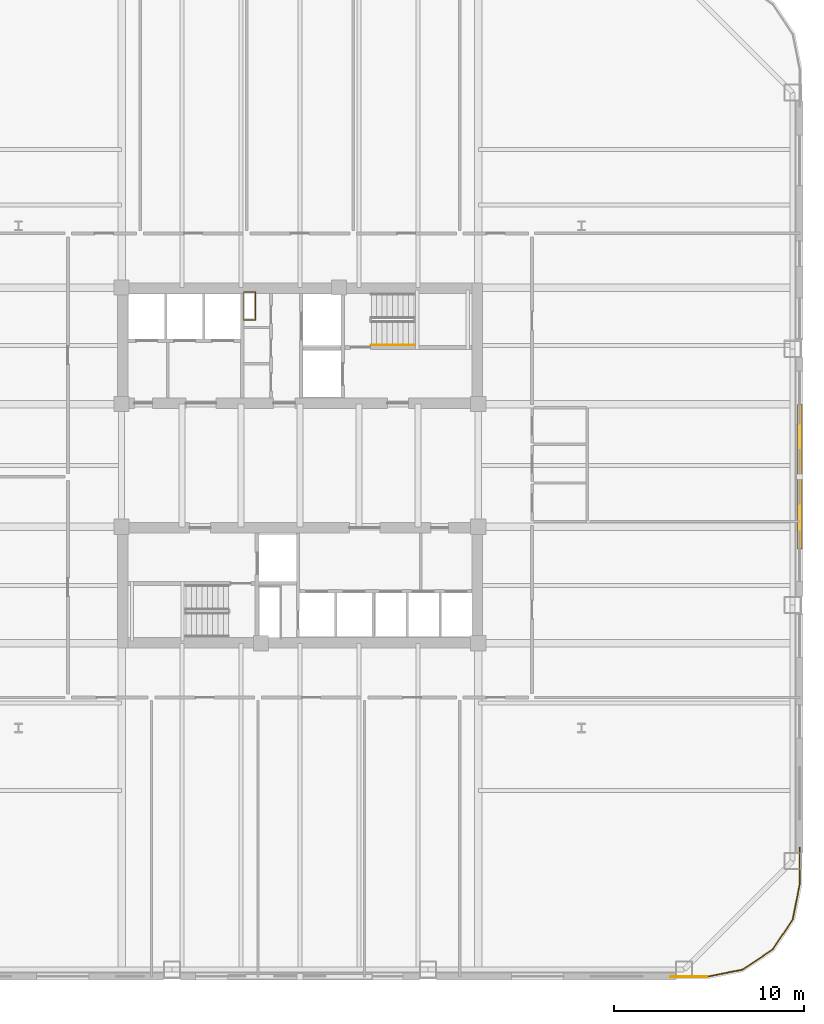
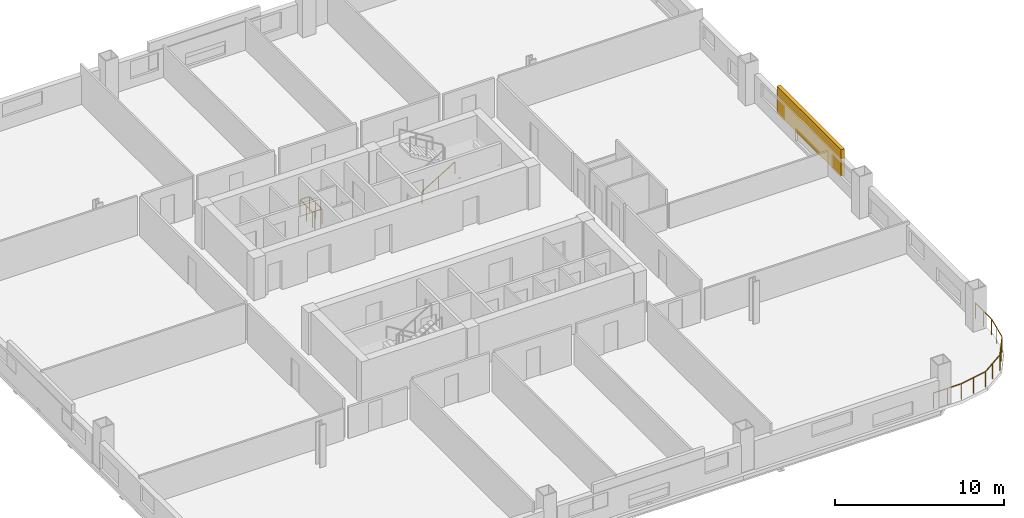
# One storey, part 9 of 12: 4 railings, 1 shading device.
"""IFC4 building model written with IfcOpenShell, lengths in metres."""

import ifcopenshell
import ifcopenshell.guid

model = None  # the IFC model being written
_history = None  # IfcOwnerHistory: only IFC2X3 demands one
_inside = {}  # id of a spatial element -> (the spatial element, [elements in it])
_under = {}  # id of a project, library or spatial element -> (it, [spatial elements below it])
_declared = {}  # id of a project -> (the project, [libraries it declares])
_typed = {}  # id of a type object -> (the type object, [elements of that type])
_made_of = {}  # id of a material, layer set ... -> (it, [elements and type objects made of it])


def new_model(schema):
    """Start an empty IFC model of exactly this schema.

    Asked for "IFC4X3", IfcOpenShell would pick the latest addendum, in which some entities
    have other attributes; the version numbers below select the first issue.
    IFC2X3 requires an IfcOwnerHistory on every rooted entity: one is made here for all.
    """
    global model, _history
    if schema == "IFC4X3":
        model = ifcopenshell.file(schema_version=(4, 3, 0, 0))
    else:
        model = ifcopenshell.file(schema=schema)
    _inside.clear()
    _under.clear()
    _declared.clear()
    _typed.clear()
    _made_of.clear()
    _history = None
    if model.schema == "IFC2X3":
        org = make("IfcOrganization", Name="unknown")
        user = make(
            "IfcPersonAndOrganization",
            ThePerson=make("IfcPerson", FamilyName="unknown"),
            TheOrganization=org,
        )
        app = make(
            "IfcApplication",
            ApplicationDeveloper=org,
            Version="unknown",
            ApplicationFullName="unknown",
            ApplicationIdentifier="unknown",
        )
        _history = make(
            "IfcOwnerHistory",
            OwningUser=user,
            OwningApplication=app,
            ChangeAction="ADDED",
            CreationDate=0,
        )
    return model


def make(cls, **values):
    """One entity of the class cls with the attributes given. An attribute that is None is left unset."""
    return model.create_entity(
        cls, **{name: value for name, value in values.items() if value is not None}
    )


def rooted(cls, **values):
    """An entity with a GlobalId (a new one), such as an element, a storey or a relation."""
    return make(cls, GlobalId=ifcopenshell.guid.new(), OwnerHistory=_history, **values)


def si_unit(unit_type, name, prefix=None):
    """IfcSIUnit, for example si_unit("LENGTHUNIT", "METRE", prefix="MILLI")."""
    return make("IfcSIUnit", UnitType=unit_type, Prefix=prefix, Name=name)


def assignment(units):
    """IfcUnitAssignment: the units of a project."""
    return None if units is None else make("IfcUnitAssignment", Units=units)


def point(xyz):
    """IfcCartesianPoint."""
    return None if xyz is None else make("IfcCartesianPoint", Coordinates=xyz)


def direction(xyz):
    """IfcDirection."""
    return None if xyz is None else make("IfcDirection", DirectionRatios=xyz)


def frame(location, z_axis=None, x_axis=None):
    """IfcAxis2Placement3D, a coordinate frame: its origin and axes. An axis left out is left unset."""
    return make(
        "IfcAxis2Placement3D",
        Location=point(location),
        Axis=direction(z_axis),
        RefDirection=direction(x_axis),
    )


def frame_2d(location, x_axis=None):
    """IfcAxis2Placement2D, a coordinate frame in the plane: its origin and x axis."""
    return make(
        "IfcAxis2Placement2D", Location=point(location), RefDirection=direction(x_axis)
    )


def origin():
    """The frame at (0, 0, 0) with its axes left unset."""
    return frame((0.0, 0.0, 0.0))


def origin_2d():
    """The frame at (0, 0) in the plane with its x axis left unset."""
    return frame_2d((0.0, 0.0))


def place(relative_to, where):
    """IfcLocalPlacement: puts the frame where relative to a parent placement (None: the world)."""
    return make(
        "IfcLocalPlacement", PlacementRelTo=relative_to, RelativePlacement=where
    )


def context(
    kind, dimensions, precision=None, world=None, true_north=None, identifier=None
):
    """IfcGeometricRepresentationContext, for example the 3D "Model" context."""
    return make(
        "IfcGeometricRepresentationContext",
        ContextIdentifier=identifier,
        ContextType=kind,
        CoordinateSpaceDimension=dimensions,
        Precision=precision,
        WorldCoordinateSystem=world,
        TrueNorth=true_north,
    )


def subcontext(parent, identifier, kind, view, scale=None):
    """IfcGeometricRepresentationSubContext, for example "Body" below "Model"."""
    return make(
        "IfcGeometricRepresentationSubContext",
        ContextIdentifier=identifier,
        ContextType=kind,
        ParentContext=parent,
        TargetScale=scale,
        TargetView=view,
    )


def project(units=None, contexts=None):
    """IfcProject with its units and contexts."""
    return rooted(
        "IfcProject",
        Name="project",
        RepresentationContexts=contexts,
        UnitsInContext=assignment(units),
    )


def spatial(cls, under=None, at=None, **own):
    """A site, building, storey or space (cls), placed at a placement, below another one or the project."""
    s = rooted(cls, ObjectPlacement=at, **own)
    if under is not None:
        _under.setdefault(under.id(), (under, []))[1].append(s)
    return s


def profile(cls, at=None, kind="AREA", **sizes):
    """A parametric profile (cls). Its sizes go by their IFC names, for example OverallWidth=200.0."""
    return make(cls, ProfileType=kind, Position=at, **sizes)


def rectangle(**sizes):
    """IfcRectangleProfileDef."""
    return profile("IfcRectangleProfileDef", **sizes)


def extrude(swept, where, along, depth):
    """IfcExtrudedAreaSolid: the profile swept, set in the frame where, extruded along a direction by depth."""
    return make(
        "IfcExtrudedAreaSolid",
        SweptArea=swept,
        Position=where,
        ExtrudedDirection=direction(along),
        Depth=depth,
    )


def shape(context_of_items, identifier, shape_type, items):
    """IfcShapeRepresentation: the items that make up one representation, for example the "Body"."""
    return make(
        "IfcShapeRepresentation",
        ContextOfItems=context_of_items,
        RepresentationIdentifier=identifier,
        RepresentationType=shape_type,
        Items=items,
    )


def material(Name=None, Category=None):
    """IfcMaterial."""
    return make("IfcMaterial", Name=Name, Category=Category)


def made_of(thing, what):
    """Note that an element or type object is made of a material, layer set ...; save() writes the relation."""
    if what is not None:
        _made_of.setdefault(what.id(), (what, []))[1].append(thing)
    return thing


def type_object(cls, material=None, **own):
    """A type object (cls), such as IfcWallType, which elements share."""
    return made_of(rooted(cls, **own), material)


def element(
    cls,
    number,
    at=None,
    inside=None,
    cuts=None,
    type_object=None,
    material=None,
    context=None,
    identifier="Body",
    shape_type=None,
    held_by="IfcProductDefinitionShape",
    body=None,
    shapes=None,
    **own,
):
    """One element of the class cls, such as IfcWall. Its Tag is "e" and its number.

    at: its placement. inside: the storey or other place that contains it. cuts: it is an
    opening in that element (IfcRelVoidsElement). A single representation is given by context,
    identifier, shape_type and body (its items); several are given by shapes. held_by: the class
    of the entity that holds the representations. save() writes the other relations.
    """
    e = rooted(cls, Tag="e%d" % number, ObjectPlacement=at, **own)
    if body is not None:
        shapes = [shape(context, identifier, shape_type, body)]
    if shapes is not None:
        e.Representation = make(held_by, Representations=shapes)
    if inside is not None:
        _inside.setdefault(inside.id(), (inside, []))[1].append(e)
    if cuts is not None:
        rooted(
            "IfcRelVoidsElement", RelatingBuildingElement=cuts, RelatedOpeningElement=e
        )
    if type_object is not None:
        _typed.setdefault(type_object.id(), (type_object, []))[1].append(e)
    return made_of(e, material)


def aggregate(whole, parts):
    """IfcRelAggregates: a whole, such as a stair, and the parts it consists of."""
    return rooted("IfcRelAggregates", RelatingObject=whole, RelatedObjects=parts)


def save(model, path):
    """Write the relations noted so far, then the file.

    IfcRelAggregates (storeys below a building ...), IfcRelContainedInSpatialStructure (elements
    in a storey), IfcRelDefinesByType, IfcRelAssociatesMaterial and IfcRelDeclares: one each for
    every whole, place, type object, material and project.
    """
    for whole, parts in _under.values():
        aggregate(whole, parts)
    for where, things in _inside.values():
        rooted(
            "IfcRelContainedInSpatialStructure",
            RelatedElements=things,
            RelatingStructure=where,
        )
    for kind, things in _typed.values():
        rooted("IfcRelDefinesByType", RelatedObjects=things, RelatingType=kind)
    for what, things in _made_of.values():
        rooted("IfcRelAssociatesMaterial", RelatedObjects=things, RelatingMaterial=what)
    for by, libraries in _declared.values():
        rooted("IfcRelDeclares", RelatingContext=by, RelatedDefinitions=libraries)
    model.write(path)


model = new_model("IFC4")

# Units and contexts
model_context = context("Model", 3, precision=1e-05, world=origin(), true_north=direction((0.0, 1.0)))
body_context = subcontext(model_context, "Body", "Model", "MODEL_VIEW")
ifc_project = project(units=[si_unit("LENGTHUNIT", "METRE"), si_unit("AREAUNIT", "SQUARE_METRE"), si_unit("VOLUMEUNIT", "CUBIC_METRE"), si_unit("PLANEANGLEUNIT", "RADIAN"), si_unit("MASSUNIT", "GRAM", prefix="KILO")], contexts=[model_context])

# Site, building, storey
site_placement = place(None, origin())
site = spatial("IfcSite", under=ifc_project, at=site_placement, CompositionType="ELEMENT")
building_placement = place(site_placement, origin())
building = spatial("IfcBuilding", under=site, at=building_placement, Name="Qhalaya Broadcast Tower", CompositionType="ELEMENT")
storey_placement = place(building_placement, frame((0.0, 0.0, 41.35009765625)))
storey = spatial("IfcBuildingStorey", under=building, at=storey_placement, Name="L11", CompositionType="ELEMENT", Elevation=41.35009765625)

# Railings
ifc_material_1 = material(Name="Powder-Coated Galvanised Steel", Category="steel")
railing_type_1 = type_object("IfcRailingType", Name="Stair Wall Handrail 900", PredefinedType="HANDRAIL", material=ifc_material_1)
railing_1_placement = place(storey_placement, frame((3.75, 6.929931640625, 0.16943359375)))
element("IfcRailing", 1, at=railing_1_placement, inside=storey, type_object=railing_type_1, Name="L11 ST-1 Stair Handrail 1", PredefinedType="HANDRAIL", context=body_context, shape_type="SweptSolid", body=[
    extrude(rectangle(XDim=0.048095703125, YDim=0.048095703125, at=origin_2d()), frame((0.0, 0.0, 0.8759765625), z_axis=(0.855553338991, 0.0, 0.51771467445), x_axis=(0.0, 1.0, 0.0)), (0.0, 0.0, 1.0), 2.6181640625),
    extrude(rectangle(XDim=0.0419921875, YDim=0.0419921875, at=origin_2d()), origin(), (0.0, 0.0, 1.0), 0.849853515625),
    extrude(rectangle(XDim=0.0419921875, YDim=0.0419921875, at=origin_2d()), frame((1.1201171875, 0.0, 0.677734375)), (0.0, 0.0, 1.0), 0.849853515625),
    extrude(rectangle(XDim=0.0419921875, YDim=0.0419921875, at=origin_2d()), frame((2.239990234375, 0.0, 1.35546875)), (0.0, 0.0, 1.0), 0.849853515625),
])
railing_type_2 = type_object("IfcRailingType", Name="Stair Well & Landing Guardrail 1100", PredefinedType="GUARDRAIL", material=ifc_material_1)
railing_2_placement = place(storey_placement, frame((-2.340087890625, 8.239990234375, 0.0)))
element("IfcRailing", 2, at=railing_2_placement, inside=storey, type_object=railing_type_2, Name="L11 Service Riser Opening Safety Guard NRSR", PredefinedType="GUARDRAIL", context=body_context, shape_type="SweptSolid", body=[
    extrude(rectangle(XDim=0.048095703125, YDim=0.048095703125, at=origin_2d()), frame((0.0, 0.02880859375, 1.1259765625), z_axis=(0.0, 1.0, 0.0), x_axis=(-1.0, 0.0, 0.0)), (0.0, 0.0, 1.0), 1.42236328125),
    extrude(rectangle(XDim=0.048095703125, YDim=0.048095703125, at=origin_2d()), frame((-0.02880859375, 1.47998046875, 1.1259765625), z_axis=(-1.0, 0.0, 0.0), x_axis=(0.0, -1.0, 0.0)), (0.0, 0.0, 1.0), 0.582275390625),
    extrude(rectangle(XDim=0.048095703125, YDim=0.048095703125, at=origin_2d()), frame((-0.639892578125, 1.451171875, 1.1259765625), z_axis=(0.0, -1.0, 0.0), x_axis=(1.0, 0.0, 0.0)), (0.0, 0.0, 1.0), 1.42236328125),
    extrude(rectangle(XDim=0.048095703125, YDim=0.048095703125, at=origin_2d()), frame((-0.611083984375, 0.0, 1.1259765625), z_axis=(1.0, 0.0, 0.0), x_axis=(0.0, 1.0, 0.0)), (0.0, 0.0, 1.0), 0.582275390625),
    extrude(rectangle(XDim=0.0419921875, YDim=0.0419921875, at=origin_2d()), origin(), (0.0, 0.0, 1.0), 1.099853515625),
    extrude(rectangle(XDim=0.0419921875, YDim=0.0419921875, at=origin_2d()), frame((0.0, 0.739990234375, 0.0)), (0.0, 0.0, 1.0), 1.099853515625),
    extrude(rectangle(XDim=0.0419921875, YDim=0.0419921875, at=origin_2d()), frame((0.0, 1.47998046875, 0.0)), (0.0, 0.0, 1.0), 1.099853515625),
    extrude(rectangle(XDim=0.0419921875, YDim=0.0419921875, at=origin_2d()), frame((-0.639892578125, 1.47998046875, 0.0)), (0.0, 0.0, 1.0), 1.099853515625),
    extrude(rectangle(XDim=0.0419921875, YDim=0.0419921875, at=origin_2d()), frame((-0.639892578125, 0.739990234375, 0.0)), (0.0, 0.0, 1.0), 1.099853515625),
    extrude(rectangle(XDim=0.0419921875, YDim=0.0419921875, at=origin_2d()), frame((-0.639892578125, 0.0, 0.0)), (0.0, 0.0, 1.0), 1.099853515625),
])
railing_type_3 = type_object("IfcRailingType", Name="Terrace, Sky-Pool & Lookout Glass Balustrade 1150", PredefinedType="BALUSTRADE", material=ifc_material_1)
railing_3_placement = place(storey_placement, frame((21.38818359375, -26.280029296875, 0.0)))
element("IfcRailing", 3, at=railing_3_placement, inside=storey, type_object=railing_type_3, Name="L11 Rounded Corner Perimeter Guard 01", PredefinedType="BALUSTRADE", context=body_context, shape_type="SweptSolid", body=[
    extrude(rectangle(XDim=0.048095703125, YDim=0.048095703125, at=origin_2d()), frame((0.0, 0.0, 1.1259765625), z_axis=(-1.0, 0.0, 0.0), x_axis=(0.0, -1.0, 0.0)), (0.0, 0.0, 1.0), 1.90625),
    extrude(rectangle(XDim=0.0419921875, YDim=0.0419921875, at=origin_2d()), origin(), (0.0, 0.0, 1.0), 1.099853515625),
    extrude(rectangle(XDim=0.0419921875, YDim=0.0419921875, at=origin_2d()), frame((-0.953125, 0.0, 0.0)), (0.0, 0.0, 1.0), 1.099853515625),
    extrude(rectangle(XDim=0.0419921875, YDim=0.0419921875, at=origin_2d()), frame((-1.90625, 0.0, 0.0)), (0.0, 0.0, 1.0), 1.099853515625),
])
railing_4_placement = place(storey_placement, frame((26.280029296875, -19.48193359375, 0.0)))
element("IfcRailing", 4, at=railing_4_placement, inside=storey, type_object=railing_type_3, Name="L11 Rounded Corner Perimeter Guard 05", PredefinedType="BALUSTRADE", context=body_context, shape_type="SweptSolid", body=[
    extrude(rectangle(XDim=0.048095703125, YDim=0.048095703125, at=origin_2d()), frame((0.0, 0.0, 1.1259765625), z_axis=(0.0, -1.0, 0.0), x_axis=(1.0, 0.0, 0.0)), (0.0, 0.0, 1.0), 1.87744140625),
    extrude(rectangle(XDim=0.048095703125, YDim=0.048095703125, at=origin_2d()), frame((-0.005615234375, -1.9345703125, 1.1259765625), z_axis=(-0.195037378397, -0.980795810058, 0.0), x_axis=(0.980795810058, -0.195037378397, 0.0)), (0.0, 0.0, 1.0), 1.857421875),
    extrude(rectangle(XDim=0.048095703125, YDim=0.048095703125, at=origin_2d()), frame((-0.3896484375, -3.80859375, 1.1259765625), z_axis=(-0.555558355728, -0.831477548332, 0.0), x_axis=(0.831477548332, -0.555558355728, 0.0)), (0.0, 0.0, 1.0), 1.845458984375),
    extrude(rectangle(XDim=0.048095703125, YDim=0.048095703125, at=origin_2d()), frame((-1.454833984375, -5.38330078125, 1.1259765625), z_axis=(-0.831477548332, -0.555558355728, 0.0), x_axis=(0.555558355728, -0.831477548332, 0.0)), (0.0, 0.0, 1.0), 1.845458984375),
    extrude(rectangle(XDim=0.048095703125, YDim=0.048095703125, at=origin_2d()), frame((-3.041748046875, -6.43017578125, 1.1259765625), z_axis=(-0.980795810058, -0.195037378397, 0.0), x_axis=(0.195037378397, -0.980795810058, 0.0)), (0.0, 0.0, 1.0), 1.88623046875),
    extrude(rectangle(XDim=0.0419921875, YDim=0.0419921875, at=origin_2d()), origin(), (0.0, 0.0, 1.0), 1.099853515625),
    extrude(rectangle(XDim=0.0419921875, YDim=0.0419921875, at=origin_2d()), frame((0.0, -0.953125, 0.0)), (0.0, 0.0, 1.0), 1.099853515625),
    extrude(rectangle(XDim=0.0419921875, YDim=0.0419921875, at=origin_2d()), frame((0.0, -1.90625, 0.0)), (0.0, 0.0, 1.0), 1.099853515625),
    extrude(rectangle(XDim=0.0419921875, YDim=0.0419921875, at=origin_2d()), frame((-0.186767578125, -2.845458984375, 0.0)), (0.0, 0.0, 1.0), 1.099853515625),
    extrude(rectangle(XDim=0.0419921875, YDim=0.0419921875, at=origin_2d()), frame((-0.37353515625, -3.78466796875, 0.0)), (0.0, 0.0, 1.0), 1.099853515625),
    extrude(rectangle(XDim=0.0419921875, YDim=0.0419921875, at=origin_2d()), frame((-0.90234375, -4.575927734375, 0.0)), (0.0, 0.0, 1.0), 1.099853515625),
    extrude(rectangle(XDim=0.0419921875, YDim=0.0419921875, at=origin_2d()), frame((-1.430908203125, -5.3671875, 0.0)), (0.0, 0.0, 1.0), 1.099853515625),
    extrude(rectangle(XDim=0.0419921875, YDim=0.0419921875, at=origin_2d()), frame((-2.22216796875, -5.89599609375, 0.0)), (0.0, 0.0, 1.0), 1.099853515625),
    extrude(rectangle(XDim=0.0419921875, YDim=0.0419921875, at=origin_2d()), frame((-3.013427734375, -6.424560546875, 0.0)), (0.0, 0.0, 1.0), 1.099853515625),
    extrude(rectangle(XDim=0.0419921875, YDim=0.0419921875, at=origin_2d()), frame((-3.95263671875, -6.611328125, 0.0)), (0.0, 0.0, 1.0), 1.099853515625),
    extrude(rectangle(XDim=0.0419921875, YDim=0.0419921875, at=origin_2d()), frame((-4.891845703125, -6.798095703125, 0.0)), (0.0, 0.0, 1.0), 1.099853515625),
])

# Shading device
ifc_material_2 = material(Name="Fired Architectural Terracotta", Category="masonry")
shading_device_type = type_object("IfcShadingDeviceType", Name="Terracotta Baguette Solar Screen Assembly TBS-01", PredefinedType="USERDEFINED", material=ifc_material_2)
shading_device_placement = place(storey_placement, frame((26.280029296875, 0.0, 0.79248046875), z_axis=(0.0, 0.0, 1.0), x_axis=(0.0, 1.0, 0.0)))
element("IfcShadingDevice", 5, at=shading_device_placement, inside=storey, type_object=shading_device_type, Name="L11 Fired Terracotta Baguette Screen E", ObjectType="BAGUETTE", PredefinedType="USERDEFINED", context=body_context, shape_type="SweptSolid", body=[
    extrude(rectangle(XDim=7.60009765625, YDim=0.239990234375, at=origin_2d()), origin(), (0.0, 0.0, 1.0), 1.924072265625),
])

save(model, "model.ifc")
